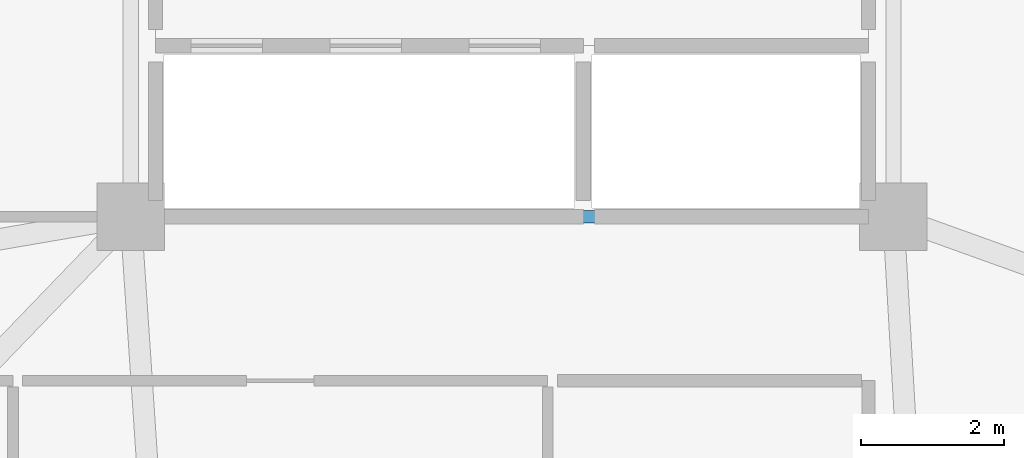
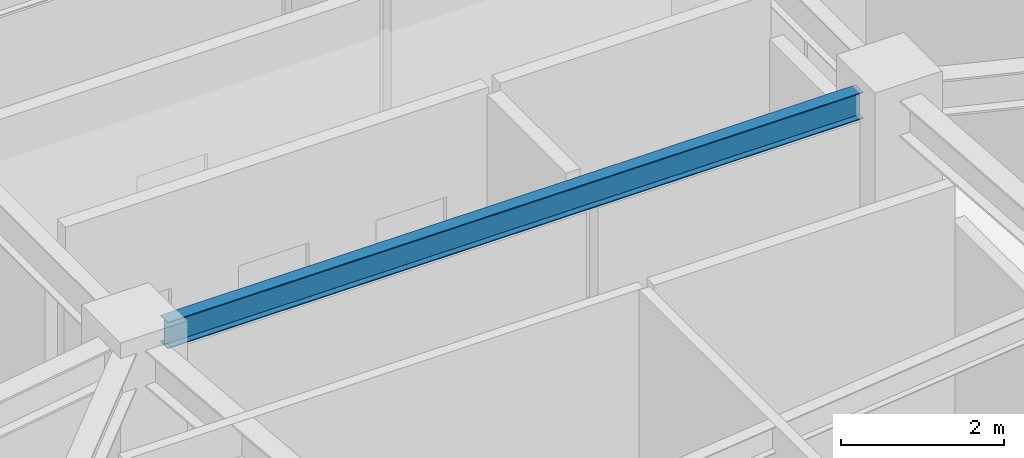
# One storey, part 9 of 27: 1 beam.
"""IFC4 building model written with IfcOpenShell, lengths in metres."""

from ifc_helpers import new_model, si_unit, direction, frame, origin, origin_2d, place, context, subcontext, project, spatial, i_section, extrude, material, material_profile, profile_set, type_object, element, save


model = new_model("IFC4")

# Units and contexts
model_context = context("Model", 3, precision=1e-05, world=origin(), true_north=direction((0.0, 1.0)))
body_context = subcontext(model_context, "Body", "Model", "MODEL_VIEW")
ifc_project = project(units=[si_unit("LENGTHUNIT", "METRE"), si_unit("AREAUNIT", "SQUARE_METRE"), si_unit("VOLUMEUNIT", "CUBIC_METRE"), si_unit("PLANEANGLEUNIT", "RADIAN"), si_unit("MASSUNIT", "GRAM", prefix="KILO")], contexts=[model_context])

# Site, building, storey
site_placement = place(None, origin())
site = spatial("IfcSite", under=ifc_project, at=site_placement, CompositionType="ELEMENT")
building_placement = place(site_placement, origin())
building = spatial("IfcBuilding", under=site, at=building_placement, Name="Varnakorn Sky Granary", CompositionType="ELEMENT")
storey_placement = place(building_placement, frame((0.0, 0.0, 134.39990234375)))
storey = spatial("IfcBuildingStorey", under=building, at=storey_placement, Name="L33", CompositionType="ELEMENT", Elevation=134.39990234375)

# Beam
ifc_material = material(Name="Steel S355JR", Category="steel")
ifc_material_profile = material_profile(ifc_material, i_section(OverallWidth=0.179931640625, OverallDepth=0.39990234375, WebThickness=0.008544921875, FlangeThickness=0.013427734375, at=origin_2d()), Name="IPE 400")
ifc_profile_set = profile_set([ifc_material_profile], Name="Steel S355JR")
beam_type = type_object("IfcBeamType", Name="BM-SEC-Z3", PredefinedType="BEAM", material=ifc_profile_set)
beam_placement = place(storey_placement, frame((-1.929931640625, -6.60009765625, 3.440185546875), z_axis=(1.0, 0.0, 0.0), x_axis=(0.0, 1.0, 0.0)))
element("IfcBeam", 1, at=beam_placement, inside=storey, type_object=beam_type, Name="Core Spine Framing Beam 6 L33", PredefinedType="BEAM", context=body_context, shape_type="SweptSolid", body=[
    extrude(i_section(OverallWidth=0.179931640625, OverallDepth=0.39990234375, WebThickness=0.008544921875, FlangeThickness=0.013427734375, at=origin_2d()), origin(), (0.0, 0.0, 1.0), 9.85986328125),
])

save(model, "model.ifc")
